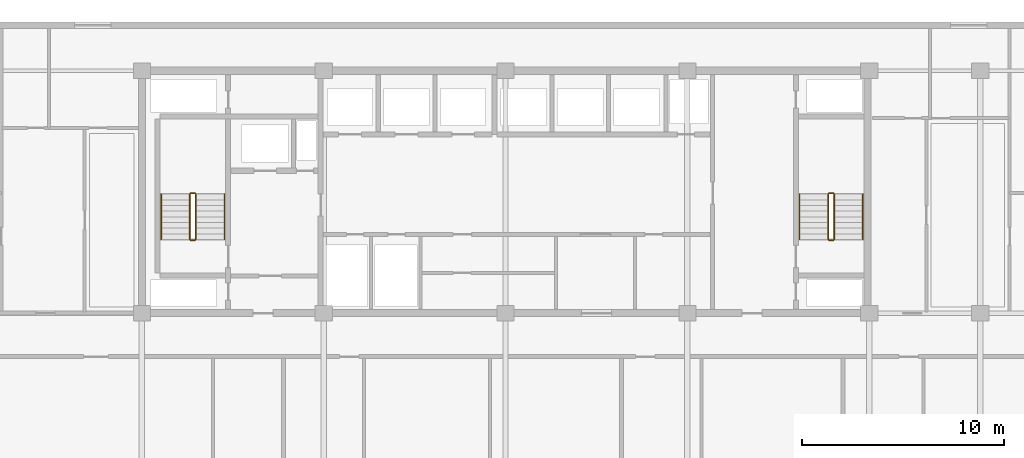
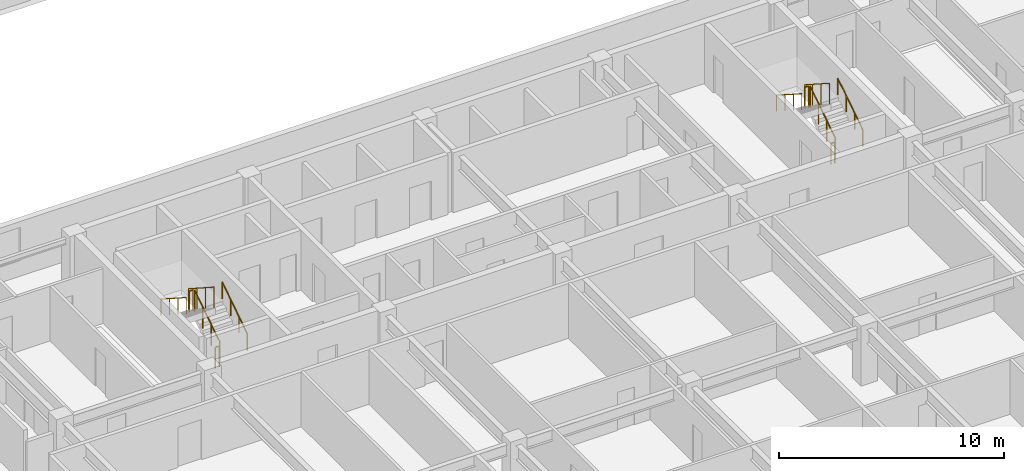
# One storey, part 19 of 22: 12 railings.
"""IFC4 building model written with IfcOpenShell, lengths in metres."""

from ifc_helpers import new_model, si_unit, direction, frame, origin, origin_2d, place, context, subcontext, project, spatial, circle, extrude, material, type_object, element, save


model = new_model("IFC4")

# Units and contexts
model_context = context("Model", 3, precision=1e-05, world=origin(), true_north=direction((0.0, 1.0)))
body_context = subcontext(model_context, "Body", "Model", "MODEL_VIEW")
ifc_project = project(units=[si_unit("LENGTHUNIT", "METRE"), si_unit("AREAUNIT", "SQUARE_METRE"), si_unit("VOLUMEUNIT", "CUBIC_METRE"), si_unit("PLANEANGLEUNIT", "RADIAN"), si_unit("MASSUNIT", "GRAM", prefix="KILO")], contexts=[model_context])

# Site, building, storey
site_placement = place(None, origin())
site = spatial("IfcSite", under=ifc_project, at=site_placement, CompositionType="ELEMENT")
building_placement = place(site_placement, origin())
building = spatial("IfcBuilding", under=site, at=building_placement, Name="Korimba Cascade Residences", CompositionType="ELEMENT")
storey_placement = place(building_placement, frame((0.0, 0.0, 90.550048828125)))
storey = spatial("IfcBuildingStorey", under=building, at=storey_placement, Name="L25", CompositionType="ELEMENT", Elevation=90.550048828125)

# Railings
ifc_material_1 = material(Name="Painted Steel Stairwell Guardrail", Category="steel")
railing_type_1 = type_object("IfcRailingType", Name="RLG-ST-GD1150", PredefinedType="GUARDRAIL", material=ifc_material_1)
railing_1_placement = place(storey_placement, frame((84.77001953125, 22.050048828125, 0.180419921875)))
element("IfcRailing", 1, at=railing_1_placement, inside=storey, type_object=railing_type_1, Name="L25 ST-E1 stair guard 1", PredefinedType="GUARDRAIL", context=body_context, shape_type="SweptSolid", body=[
    extrude(circle(Radius=0.02392578125, at=origin_2d()), frame((0.0, 0.0, 1.1259765625), z_axis=(0.0, 0.840394893359, 0.541974559565), x_axis=(-1.0, 0.0, 0.0)), (0.0, 0.0, 1.0), 2.665283203125),
    extrude(circle(Radius=0.02099609375, at=origin_2d()), origin(), (0.0, 0.0, 1.0), 1.101806640625),
    extrude(circle(Radius=0.02099609375, at=origin_2d()), frame((0.0, 0.74658203125, 0.4814453125)), (0.0, 0.0, 1.0), 1.101806640625),
    extrude(circle(Radius=0.02099609375, at=origin_2d()), frame((0.0, 1.493408203125, 0.963134765625)), (0.0, 0.0, 1.0), 1.101806640625),
    extrude(circle(Radius=0.02099609375, at=origin_2d()), frame((0.0, 2.239990234375, 1.444580078125)), (0.0, 0.0, 1.0), 1.101806640625),
])
railing_2_placement = place(storey_placement, frame((84.719970703125, 24.340087890625, 1.625)))
element("IfcRailing", 2, at=railing_2_placement, inside=storey, type_object=railing_type_1, Name="L25 ST-E1 stair guard 2", PredefinedType="GUARDRAIL", context=body_context, shape_type="SweptSolid", body=[
    extrude(circle(Radius=0.02392578125, at=origin_2d()), frame((0.0, 0.0, 1.1259765625), z_axis=(-1.0, 0.0, 0.0), x_axis=(0.0, -1.0, 0.0)), (0.0, 0.0, 1.0), 0.199951171875),
    extrude(circle(Radius=0.02099609375, at=origin_2d()), origin(), (0.0, 0.0, 1.0), 1.101806640625),
    extrude(circle(Radius=0.02099609375, at=origin_2d()), frame((-0.199951171875, 0.0, 0.0)), (0.0, 0.0, 1.0), 1.101806640625),
])
railing_3_placement = place(storey_placement, frame((84.469970703125, 24.2900390625, 1.805419921875)))
element("IfcRailing", 3, at=railing_3_placement, inside=storey, type_object=railing_type_1, Name="L25 ST-E1 stair guard 3", PredefinedType="GUARDRAIL", context=body_context, shape_type="SweptSolid", body=[
    extrude(circle(Radius=0.02392578125, at=origin_2d()), frame((0.0, 0.0, 1.1259765625), z_axis=(0.0, -0.840394893359, 0.541974559565), x_axis=(1.0, 0.0, 0.0)), (0.0, 0.0, 1.0), 2.665283203125),
    extrude(circle(Radius=0.02099609375, at=origin_2d()), origin(), (0.0, 0.0, 1.0), 1.101806640625),
    extrude(circle(Radius=0.02099609375, at=origin_2d()), frame((0.0, -0.74658203125, 0.4814453125)), (0.0, 0.0, 1.0), 1.101806640625),
    extrude(circle(Radius=0.02099609375, at=origin_2d()), frame((0.0, -1.493408203125, 0.963134765625)), (0.0, 0.0, 1.0), 1.101806640625),
    extrude(circle(Radius=0.02099609375, at=origin_2d()), frame((0.0, -2.239990234375, 1.444580078125)), (0.0, 0.0, 1.0), 1.101806640625),
])
railing_4_placement = place(storey_placement, frame((84.719970703125, 22.0, 0.0)))
element("IfcRailing", 4, at=railing_4_placement, inside=storey, type_object=railing_type_1, Name="L25 ST-E1 stair guard 4", PredefinedType="GUARDRAIL", context=body_context, shape_type="SweptSolid", body=[
    extrude(circle(Radius=0.02392578125, at=origin_2d()), frame((0.0, 0.0, 1.1259765625), z_axis=(-1.0, 0.0, 0.0), x_axis=(0.0, -1.0, 0.0)), (0.0, 0.0, 1.0), 0.199951171875),
    extrude(circle(Radius=0.02099609375, at=origin_2d()), origin(), (0.0, 0.0, 1.0), 1.101806640625),
    extrude(circle(Radius=0.02099609375, at=origin_2d()), frame((-0.199951171875, 0.0, 0.0)), (0.0, 0.0, 1.0), 1.101806640625),
])
railing_5_placement = place(storey_placement, frame((116.3701171875, 22.050048828125, 0.180419921875)))
element("IfcRailing", 5, at=railing_5_placement, inside=storey, type_object=railing_type_1, Name="L25 ST-E2 stair guard 1", PredefinedType="GUARDRAIL", context=body_context, shape_type="SweptSolid", body=[
    extrude(circle(Radius=0.02392578125, at=origin_2d()), frame((0.0, 0.0, 1.1259765625), z_axis=(0.0, 0.840394893359, 0.541974559565), x_axis=(-1.0, 0.0, 0.0)), (0.0, 0.0, 1.0), 2.665283203125),
    extrude(circle(Radius=0.02099609375, at=origin_2d()), origin(), (0.0, 0.0, 1.0), 1.101806640625),
    extrude(circle(Radius=0.02099609375, at=origin_2d()), frame((0.0, 0.74658203125, 0.4814453125)), (0.0, 0.0, 1.0), 1.101806640625),
    extrude(circle(Radius=0.02099609375, at=origin_2d()), frame((0.0, 1.493408203125, 0.963134765625)), (0.0, 0.0, 1.0), 1.101806640625),
    extrude(circle(Radius=0.02099609375, at=origin_2d()), frame((0.0, 2.239990234375, 1.444580078125)), (0.0, 0.0, 1.0), 1.101806640625),
])
railing_6_placement = place(storey_placement, frame((116.320068359375, 24.340087890625, 1.625)))
element("IfcRailing", 6, at=railing_6_placement, inside=storey, type_object=railing_type_1, Name="L25 ST-E2 stair guard 2", PredefinedType="GUARDRAIL", context=body_context, shape_type="SweptSolid", body=[
    extrude(circle(Radius=0.02392578125, at=origin_2d()), frame((0.0, 0.0, 1.1259765625), z_axis=(-1.0, 0.0, 0.0), x_axis=(0.0, -1.0, 0.0)), (0.0, 0.0, 1.0), 0.199951171875),
    extrude(circle(Radius=0.02099609375, at=origin_2d()), origin(), (0.0, 0.0, 1.0), 1.101806640625),
    extrude(circle(Radius=0.02099609375, at=origin_2d()), frame((-0.199951171875, 0.0, 0.0)), (0.0, 0.0, 1.0), 1.101806640625),
])
railing_7_placement = place(storey_placement, frame((116.070068359375, 24.2900390625, 1.805419921875)))
element("IfcRailing", 7, at=railing_7_placement, inside=storey, type_object=railing_type_1, Name="L25 ST-E2 stair guard 3", PredefinedType="GUARDRAIL", context=body_context, shape_type="SweptSolid", body=[
    extrude(circle(Radius=0.02392578125, at=origin_2d()), frame((0.0, 0.0, 1.1259765625), z_axis=(0.0, -0.840394893359, 0.541974559565), x_axis=(1.0, 0.0, 0.0)), (0.0, 0.0, 1.0), 2.665283203125),
    extrude(circle(Radius=0.02099609375, at=origin_2d()), origin(), (0.0, 0.0, 1.0), 1.101806640625),
    extrude(circle(Radius=0.02099609375, at=origin_2d()), frame((0.0, -0.74658203125, 0.4814453125)), (0.0, 0.0, 1.0), 1.101806640625),
    extrude(circle(Radius=0.02099609375, at=origin_2d()), frame((0.0, -1.493408203125, 0.963134765625)), (0.0, 0.0, 1.0), 1.101806640625),
    extrude(circle(Radius=0.02099609375, at=origin_2d()), frame((0.0, -2.239990234375, 1.444580078125)), (0.0, 0.0, 1.0), 1.101806640625),
])
railing_8_placement = place(storey_placement, frame((116.320068359375, 22.0, 0.0)))
element("IfcRailing", 8, at=railing_8_placement, inside=storey, type_object=railing_type_1, Name="L25 ST-E2 stair guard 4", PredefinedType="GUARDRAIL", context=body_context, shape_type="SweptSolid", body=[
    extrude(circle(Radius=0.02392578125, at=origin_2d()), frame((0.0, 0.0, 1.1259765625), z_axis=(-1.0, 0.0, 0.0), x_axis=(0.0, -1.0, 0.0)), (0.0, 0.0, 1.0), 0.199951171875),
    extrude(circle(Radius=0.02099609375, at=origin_2d()), origin(), (0.0, 0.0, 1.0), 1.101806640625),
    extrude(circle(Radius=0.02099609375, at=origin_2d()), frame((-0.199951171875, 0.0, 0.0)), (0.0, 0.0, 1.0), 1.101806640625),
])
ifc_material_2 = material(Name="Brushed Stainless Steel Handrail", Category="steel")
railing_type_2 = type_object("IfcRailingType", Name="RLG-ST-HR900", PredefinedType="HANDRAIL", material=ifc_material_2)
railing_9_placement = place(storey_placement, frame((86.18994140625, 22.050048828125, 0.364990234375)))
element("IfcRailing", 9, at=railing_9_placement, inside=storey, type_object=railing_type_2, Name="L25 ST-E1 stair handrail 1", PredefinedType="HANDRAIL", context=body_context, shape_type="SweptSolid", body=[
    extrude(circle(Radius=0.02392578125, at=origin_2d()), frame((0.0, 0.0, 0.8759765625), z_axis=(0.0, 0.840436612492, 0.541909863706), x_axis=(-1.0, 0.0, 0.0)), (0.0, 0.0, 1.0), 2.665283203125),
    extrude(circle(Radius=0.02099609375, at=origin_2d()), origin(), (0.0, 0.0, 1.0), 0.851806640625),
    extrude(circle(Radius=0.02099609375, at=origin_2d()), frame((0.0, 0.74658203125, 0.4814453125)), (0.0, 0.0, 1.0), 0.851806640625),
    extrude(circle(Radius=0.02099609375, at=origin_2d()), frame((0.0, 1.493408203125, 0.962890625)), (0.0, 0.0, 1.0), 0.851806640625),
    extrude(circle(Radius=0.02099609375, at=origin_2d()), frame((0.0, 2.239990234375, 1.4443359375)), (0.0, 0.0, 1.0), 0.851806640625),
])
railing_10_placement = place(storey_placement, frame((83.050048828125, 24.2900390625, 1.989990234375)))
element("IfcRailing", 10, at=railing_10_placement, inside=storey, type_object=railing_type_2, Name="L25 ST-E1 stair handrail 2", PredefinedType="HANDRAIL", context=body_context, shape_type="SweptSolid", body=[
    extrude(circle(Radius=0.02392578125, at=origin_2d()), frame((0.0, 0.0, 0.8759765625), z_axis=(0.0, -0.840436612492, 0.541909863706), x_axis=(1.0, 0.0, 0.0)), (0.0, 0.0, 1.0), 2.665283203125),
    extrude(circle(Radius=0.02099609375, at=origin_2d()), origin(), (0.0, 0.0, 1.0), 0.851806640625),
    extrude(circle(Radius=0.02099609375, at=origin_2d()), frame((0.0, -0.74658203125, 0.4814453125)), (0.0, 0.0, 1.0), 0.851806640625),
    extrude(circle(Radius=0.02099609375, at=origin_2d()), frame((0.0, -1.493408203125, 0.962890625)), (0.0, 0.0, 1.0), 0.851806640625),
    extrude(circle(Radius=0.02099609375, at=origin_2d()), frame((0.0, -2.239990234375, 1.4443359375)), (0.0, 0.0, 1.0), 0.851806640625),
])
railing_11_placement = place(storey_placement, frame((117.7900390625, 22.050048828125, 0.364990234375)))
element("IfcRailing", 11, at=railing_11_placement, inside=storey, type_object=railing_type_2, Name="L25 ST-E2 stair handrail 1", PredefinedType="HANDRAIL", context=body_context, shape_type="SweptSolid", body=[
    extrude(circle(Radius=0.02392578125, at=origin_2d()), frame((0.0, 0.0, 0.8759765625), z_axis=(0.0, 0.840436612492, 0.541909863706), x_axis=(-1.0, 0.0, 0.0)), (0.0, 0.0, 1.0), 2.665283203125),
    extrude(circle(Radius=0.02099609375, at=origin_2d()), origin(), (0.0, 0.0, 1.0), 0.851806640625),
    extrude(circle(Radius=0.02099609375, at=origin_2d()), frame((0.0, 0.74658203125, 0.4814453125)), (0.0, 0.0, 1.0), 0.851806640625),
    extrude(circle(Radius=0.02099609375, at=origin_2d()), frame((0.0, 1.493408203125, 0.962890625)), (0.0, 0.0, 1.0), 0.851806640625),
    extrude(circle(Radius=0.02099609375, at=origin_2d()), frame((0.0, 2.239990234375, 1.4443359375)), (0.0, 0.0, 1.0), 0.851806640625),
])
railing_12_placement = place(storey_placement, frame((114.64990234375, 24.2900390625, 1.989990234375)))
element("IfcRailing", 12, at=railing_12_placement, inside=storey, type_object=railing_type_2, Name="L25 ST-E2 stair handrail 2", PredefinedType="HANDRAIL", context=body_context, shape_type="SweptSolid", body=[
    extrude(circle(Radius=0.02392578125, at=origin_2d()), frame((0.0, 0.0, 0.8759765625), z_axis=(0.0, -0.840436612492, 0.541909863706), x_axis=(1.0, 0.0, 0.0)), (0.0, 0.0, 1.0), 2.665283203125),
    extrude(circle(Radius=0.02099609375, at=origin_2d()), origin(), (0.0, 0.0, 1.0), 0.851806640625),
    extrude(circle(Radius=0.02099609375, at=origin_2d()), frame((0.0, -0.74658203125, 0.4814453125)), (0.0, 0.0, 1.0), 0.851806640625),
    extrude(circle(Radius=0.02099609375, at=origin_2d()), frame((0.0, -1.493408203125, 0.962890625)), (0.0, 0.0, 1.0), 0.851806640625),
    extrude(circle(Radius=0.02099609375, at=origin_2d()), frame((0.0, -2.239990234375, 1.4443359375)), (0.0, 0.0, 1.0), 0.851806640625),
])

save(model, "model.ifc")
